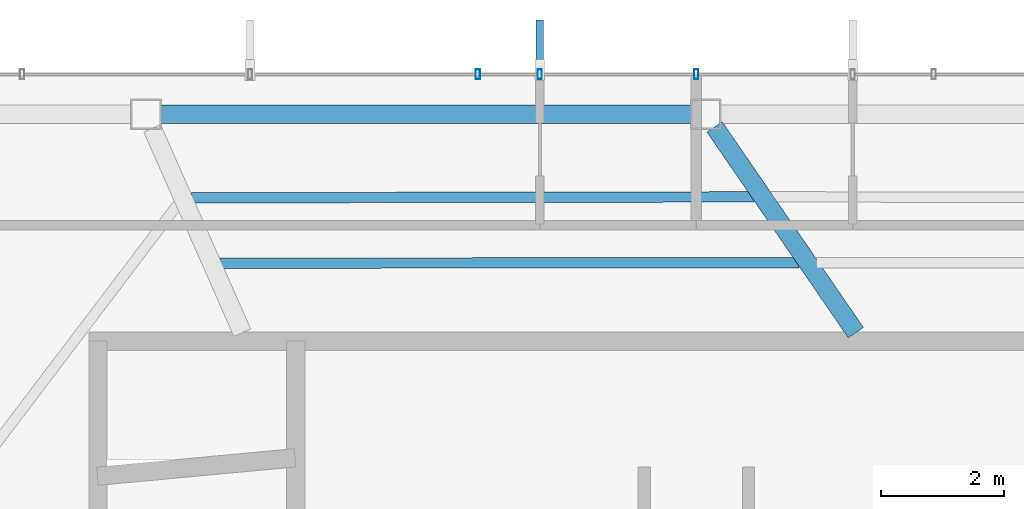
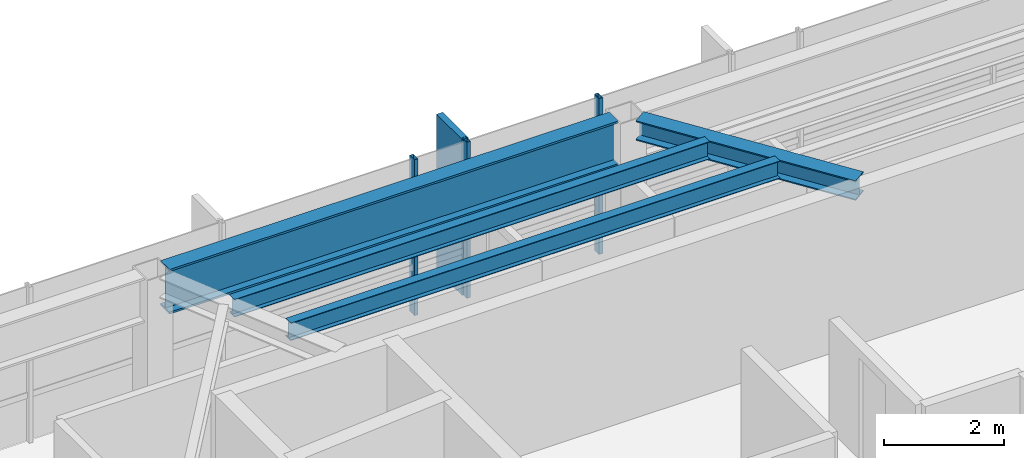
# One storey, part 12 of 24: 4 beams, 4 members, 1 element without a shape of its own.
"""IFC4 building model written with IfcOpenShell, lengths in metres."""

import ifcopenshell
import ifcopenshell.guid

model = None  # the IFC model being written
_history = None  # IfcOwnerHistory: only IFC2X3 demands one
_inside = {}  # id of a spatial element -> (the spatial element, [elements in it])
_under = {}  # id of a project, library or spatial element -> (it, [spatial elements below it])
_declared = {}  # id of a project -> (the project, [libraries it declares])
_typed = {}  # id of a type object -> (the type object, [elements of that type])
_made_of = {}  # id of a material, layer set ... -> (it, [elements and type objects made of it])


def new_model(schema):
    """Start an empty IFC model of exactly this schema.

    Asked for "IFC4X3", IfcOpenShell would pick the latest addendum, in which some entities
    have other attributes; the version numbers below select the first issue.
    IFC2X3 requires an IfcOwnerHistory on every rooted entity: one is made here for all.
    """
    global model, _history
    if schema == "IFC4X3":
        model = ifcopenshell.file(schema_version=(4, 3, 0, 0))
    else:
        model = ifcopenshell.file(schema=schema)
    _inside.clear()
    _under.clear()
    _declared.clear()
    _typed.clear()
    _made_of.clear()
    _history = None
    if model.schema == "IFC2X3":
        org = make("IfcOrganization", Name="unknown")
        user = make(
            "IfcPersonAndOrganization",
            ThePerson=make("IfcPerson", FamilyName="unknown"),
            TheOrganization=org,
        )
        app = make(
            "IfcApplication",
            ApplicationDeveloper=org,
            Version="unknown",
            ApplicationFullName="unknown",
            ApplicationIdentifier="unknown",
        )
        _history = make(
            "IfcOwnerHistory",
            OwningUser=user,
            OwningApplication=app,
            ChangeAction="ADDED",
            CreationDate=0,
        )
    return model


def make(cls, **values):
    """One entity of the class cls with the attributes given. An attribute that is None is left unset."""
    return model.create_entity(
        cls, **{name: value for name, value in values.items() if value is not None}
    )


def rooted(cls, **values):
    """An entity with a GlobalId (a new one), such as an element, a storey or a relation."""
    return make(cls, GlobalId=ifcopenshell.guid.new(), OwnerHistory=_history, **values)


def si_unit(unit_type, name, prefix=None):
    """IfcSIUnit, for example si_unit("LENGTHUNIT", "METRE", prefix="MILLI")."""
    return make("IfcSIUnit", UnitType=unit_type, Prefix=prefix, Name=name)


def assignment(units):
    """IfcUnitAssignment: the units of a project."""
    return None if units is None else make("IfcUnitAssignment", Units=units)


def point(xyz):
    """IfcCartesianPoint."""
    return None if xyz is None else make("IfcCartesianPoint", Coordinates=xyz)


def direction(xyz):
    """IfcDirection."""
    return None if xyz is None else make("IfcDirection", DirectionRatios=xyz)


def frame(location, z_axis=None, x_axis=None):
    """IfcAxis2Placement3D, a coordinate frame: its origin and axes. An axis left out is left unset."""
    return make(
        "IfcAxis2Placement3D",
        Location=point(location),
        Axis=direction(z_axis),
        RefDirection=direction(x_axis),
    )


def frame_2d(location, x_axis=None):
    """IfcAxis2Placement2D, a coordinate frame in the plane: its origin and x axis."""
    return make(
        "IfcAxis2Placement2D", Location=point(location), RefDirection=direction(x_axis)
    )


def origin():
    """The frame at (0, 0, 0) with its axes left unset."""
    return frame((0.0, 0.0, 0.0))


def origin_2d():
    """The frame at (0, 0) in the plane with its x axis left unset."""
    return frame_2d((0.0, 0.0))


def place(relative_to, where):
    """IfcLocalPlacement: puts the frame where relative to a parent placement (None: the world)."""
    return make(
        "IfcLocalPlacement", PlacementRelTo=relative_to, RelativePlacement=where
    )


def context(
    kind, dimensions, precision=None, world=None, true_north=None, identifier=None
):
    """IfcGeometricRepresentationContext, for example the 3D "Model" context."""
    return make(
        "IfcGeometricRepresentationContext",
        ContextIdentifier=identifier,
        ContextType=kind,
        CoordinateSpaceDimension=dimensions,
        Precision=precision,
        WorldCoordinateSystem=world,
        TrueNorth=true_north,
    )


def subcontext(parent, identifier, kind, view, scale=None):
    """IfcGeometricRepresentationSubContext, for example "Body" below "Model"."""
    return make(
        "IfcGeometricRepresentationSubContext",
        ContextIdentifier=identifier,
        ContextType=kind,
        ParentContext=parent,
        TargetScale=scale,
        TargetView=view,
    )


def project(units=None, contexts=None):
    """IfcProject with its units and contexts."""
    return rooted(
        "IfcProject",
        Name="project",
        RepresentationContexts=contexts,
        UnitsInContext=assignment(units),
    )


def spatial(cls, under=None, at=None, **own):
    """A site, building, storey or space (cls), placed at a placement, below another one or the project."""
    s = rooted(cls, ObjectPlacement=at, **own)
    if under is not None:
        _under.setdefault(under.id(), (under, []))[1].append(s)
    return s


def profile(cls, at=None, kind="AREA", **sizes):
    """A parametric profile (cls). Its sizes go by their IFC names, for example OverallWidth=200.0."""
    return make(cls, ProfileType=kind, Position=at, **sizes)


def rectangle(**sizes):
    """IfcRectangleProfileDef."""
    return profile("IfcRectangleProfileDef", **sizes)


def hollow_rectangle(**sizes):
    """IfcRectangleHollowProfileDef."""
    return profile("IfcRectangleHollowProfileDef", **sizes)


def i_section(**sizes):
    """IfcIShapeProfileDef."""
    return profile("IfcIShapeProfileDef", **sizes)


def extrude(swept, where, along, depth):
    """IfcExtrudedAreaSolid: the profile swept, set in the frame where, extruded along a direction by depth."""
    return make(
        "IfcExtrudedAreaSolid",
        SweptArea=swept,
        Position=where,
        ExtrudedDirection=direction(along),
        Depth=depth,
    )


def shape(context_of_items, identifier, shape_type, items):
    """IfcShapeRepresentation: the items that make up one representation, for example the "Body"."""
    return make(
        "IfcShapeRepresentation",
        ContextOfItems=context_of_items,
        RepresentationIdentifier=identifier,
        RepresentationType=shape_type,
        Items=items,
    )


def material(Name=None, Category=None):
    """IfcMaterial."""
    return make("IfcMaterial", Name=Name, Category=Category)


def layer(
    of_material, thickness, ventilated=None, Name=None, Category=None, Priority=None
):
    """IfcMaterialLayer: one layer of a wall or slab, of a material (None: an air gap)."""
    return make(
        "IfcMaterialLayer",
        Material=of_material,
        LayerThickness=thickness,
        IsVentilated=ventilated,
        Name=Name,
        Category=Category,
        Priority=Priority,
    )


def layer_set(layers, Name=None):
    """IfcMaterialLayerSet."""
    return make("IfcMaterialLayerSet", MaterialLayers=layers, LayerSetName=Name)


def material_profile(
    of_material, cross_section, Name=None, Category=None, Priority=None
):
    """IfcMaterialProfile: a cross section and its material."""
    return make(
        "IfcMaterialProfile",
        Name=Name,
        Material=of_material,
        Profile=cross_section,
        Priority=Priority,
        Category=Category,
    )


def profile_set(profiles, Name=None, composite=None):
    """IfcMaterialProfileSet."""
    return make(
        "IfcMaterialProfileSet",
        Name=Name,
        MaterialProfiles=profiles,
        CompositeProfile=composite,
    )


def made_of(thing, what):
    """Note that an element or type object is made of a material, layer set ...; save() writes the relation."""
    if what is not None:
        _made_of.setdefault(what.id(), (what, []))[1].append(thing)
    return thing


def type_object(cls, material=None, **own):
    """A type object (cls), such as IfcWallType, which elements share."""
    return made_of(rooted(cls, **own), material)


def element(
    cls,
    number,
    at=None,
    inside=None,
    cuts=None,
    type_object=None,
    material=None,
    context=None,
    identifier="Body",
    shape_type=None,
    held_by="IfcProductDefinitionShape",
    body=None,
    shapes=None,
    **own,
):
    """One element of the class cls, such as IfcWall. Its Tag is "e" and its number.

    at: its placement. inside: the storey or other place that contains it. cuts: it is an
    opening in that element (IfcRelVoidsElement). A single representation is given by context,
    identifier, shape_type and body (its items); several are given by shapes. held_by: the class
    of the entity that holds the representations. save() writes the other relations.
    """
    e = rooted(cls, Tag="e%d" % number, ObjectPlacement=at, **own)
    if body is not None:
        shapes = [shape(context, identifier, shape_type, body)]
    if shapes is not None:
        e.Representation = make(held_by, Representations=shapes)
    if inside is not None:
        _inside.setdefault(inside.id(), (inside, []))[1].append(e)
    if cuts is not None:
        rooted(
            "IfcRelVoidsElement", RelatingBuildingElement=cuts, RelatedOpeningElement=e
        )
    if type_object is not None:
        _typed.setdefault(type_object.id(), (type_object, []))[1].append(e)
    return made_of(e, material)


def aggregate(whole, parts):
    """IfcRelAggregates: a whole, such as a stair, and the parts it consists of."""
    return rooted("IfcRelAggregates", RelatingObject=whole, RelatedObjects=parts)


def save(model, path):
    """Write the relations noted so far, then the file.

    IfcRelAggregates (storeys below a building ...), IfcRelContainedInSpatialStructure (elements
    in a storey), IfcRelDefinesByType, IfcRelAssociatesMaterial and IfcRelDeclares: one each for
    every whole, place, type object, material and project.
    """
    for whole, parts in _under.values():
        aggregate(whole, parts)
    for where, things in _inside.values():
        rooted(
            "IfcRelContainedInSpatialStructure",
            RelatedElements=things,
            RelatingStructure=where,
        )
    for kind, things in _typed.values():
        rooted("IfcRelDefinesByType", RelatedObjects=things, RelatingType=kind)
    for what, things in _made_of.values():
        rooted("IfcRelAssociatesMaterial", RelatedObjects=things, RelatingMaterial=what)
    for by, libraries in _declared.values():
        rooted("IfcRelDeclares", RelatingContext=by, RelatedDefinitions=libraries)
    model.write(path)


model = new_model("IFC4")

# Units and contexts
model_context = context("Model", 3, precision=1e-05, world=origin(), true_north=direction((0.0, 1.0)))
body_context = subcontext(model_context, "Body", "Model", "MODEL_VIEW")
ifc_project = project(units=[si_unit("LENGTHUNIT", "METRE"), si_unit("AREAUNIT", "SQUARE_METRE"), si_unit("VOLUMEUNIT", "CUBIC_METRE"), si_unit("PLANEANGLEUNIT", "RADIAN"), si_unit("MASSUNIT", "GRAM", prefix="KILO")], contexts=[model_context])

# Site, building, storey
site_placement = place(None, origin())
site = spatial("IfcSite", under=ifc_project, at=site_placement, CompositionType="ELEMENT")
building_placement = place(site_placement, origin())
building = spatial("IfcBuilding", under=site, at=building_placement, Name="Zarrinselat Tower", CompositionType="ELEMENT")
storey_placement = place(building_placement, frame((0.0, 0.0, 268.60009765625)))
storey = spatial("IfcBuildingStorey", under=building, at=storey_placement, Name="L68", CompositionType="ELEMENT", Elevation=268.60009765625)

# Beams
ifc_material_1 = material(Name="Steel S355J2", Category="steel")
ifc_material_profile_1 = material_profile(ifc_material_1, i_section(OverallWidth=0.300048828125, OverallDepth=0.39990234375, WebThickness=0.013427734375, FlangeThickness=0.02392578125, at=origin_2d()), Name="HEB 400")
ifc_profile_set_1 = profile_set([ifc_material_profile_1], Name="Steel S355J2")
beam_type_1 = type_object("IfcBeamType", Name="BM-HEB400", PredefinedType="BEAM", material=ifc_profile_set_1)
beam_1_placement = place(storey_placement, frame((38.697998046875, 46.892333984375, 2.97998046875), z_axis=(0.566077752781, -0.824351853159, 0.0), x_axis=(0.824351853159, 0.566077752781, 0.0)))
element("IfcBeam", 1, at=beam_1_placement, inside=storey, type_object=beam_type_1, Name="L68 Radial Primary Girder RG03", PredefinedType="BEAM", context=body_context, shape_type="SweptSolid", body=[
    extrude(i_section(OverallWidth=0.300048828125, OverallDepth=0.39990234375, WebThickness=0.013427734375, FlangeThickness=0.02392578125, at=origin_2d()), origin(), (0.0, 0.0, 1.0), 4.066650390625),
])
ifc_material_2 = material(Name="Steel S460M", Category="steel")
ifc_material_profile_2 = material_profile(ifc_material_2, i_section(OverallWidth=0.302001953125, OverallDepth=0.909912109375, WebThickness=0.02099609375, FlangeThickness=0.0400390625, at=origin_2d()), Name="HEM 900")
ifc_profile_set_2 = profile_set([ifc_material_profile_2], Name="Steel S460M")
beam_type_2 = type_object("IfcBeamType", Name="BM-HEM900", PredefinedType="BEAM", material=ifc_profile_set_2)
beam_2_placement = place(storey_placement, frame((29.669189453125, 47.10009765625, 2.724853515625), z_axis=(1.0, 0.0, 0.0), x_axis=(0.0, 1.0, 0.0)))
element("IfcBeam", 2, at=beam_2_placement, inside=storey, type_object=beam_type_2, Name="L68 Perimeter Spandrel Girder SP03", PredefinedType="BEAM", context=body_context, shape_type="SweptSolid", body=[
    extrude(i_section(OverallWidth=0.302001953125, OverallDepth=0.909912109375, WebThickness=0.02099609375, FlangeThickness=0.0400390625, at=origin_2d()), origin(), (0.0, 0.0, 1.0), 8.648193359375),
])
ifc_material_3 = material(Name="Steel S355J2", Category="steel")
ifc_material_profile_3 = material_profile(ifc_material_3, i_section(OverallWidth=0.169921875, OverallDepth=0.360107421875, WebThickness=0.008056640625, FlangeThickness=0.0126953125, at=origin_2d()), Name="IPE 360")
ifc_profile_set_3 = profile_set([ifc_material_profile_3], Name="Steel S355J2")
beam_type_3 = type_object("IfcBeamType", Name="BM-IPE360", PredefinedType="JOIST", material=ifc_profile_set_3)
beam_3_placement = place(storey_placement, frame((30.171630859375, 45.737548828125, 3.0), z_axis=(0.999998723885, 0.001597569652, 0.0), x_axis=(-0.001597569652, 0.999998723885, 0.0)))
element("IfcBeam", 3, at=beam_3_placement, inside=storey, type_object=beam_type_3, Name="L68 Composite Floor Joist 8-1", PredefinedType="JOIST", context=body_context, shape_type="SweptSolid", body=[
    extrude(i_section(OverallWidth=0.169921875, OverallDepth=0.360107421875, WebThickness=0.008056640625, FlangeThickness=0.0126953125, at=origin_2d()), origin(), (0.0, 0.0, 1.0), 9.169189453125),
])
beam_4_placement = place(storey_placement, frame((30.64111328125, 44.672119140625, 3.0), z_axis=(0.999999678359, 0.000802048848, 0.0), x_axis=(-0.000802048848, 0.999999678359, 0.0)))
element("IfcBeam", 4, at=beam_4_placement, inside=storey, type_object=beam_type_3, Name="L68 Composite Floor Joist 8-2", PredefinedType="JOIST", context=body_context, shape_type="SweptSolid", body=[
    extrude(i_section(OverallWidth=0.169921875, OverallDepth=0.360107421875, WebThickness=0.008056640625, FlangeThickness=0.0126953125, at=origin_2d()), origin(), (0.0, 0.0, 1.0), 9.436279296875),
])

# Curtain wall, members
ifc_material_4 = material(Name="Extruded Aluminium Alloy EN AW-6063 T6", Category="aluminium")
ifc_layer = layer(ifc_material_4, 0.169921875)
ifc_layer_set = layer_set([ifc_layer], Name="Extruded Aluminium Alloy EN AW-6063 T6")
curtain_wall_type = type_object("IfcCurtainWallType", Name="CWS-RES", PredefinedType="NOTDEFINED", material=ifc_layer_set)
curtain_wall_placement = place(storey_placement, origin())
curtain_wall = element("IfcCurtainWall", 5, at=curtain_wall_placement, inside=storey, type_object=curtain_wall_type, Name="L68 Unitised Curtain Wall CW-L68-E01", PredefinedType="NOTDEFINED")
ifc_material_5 = material(Name="Extruded Aluminium Alloy EN AW-6063 T6", Category="aluminium")
ifc_material_profile_4 = material_profile(ifc_material_5, hollow_rectangle(XDim=0.070068359375, YDim=0.159912109375, WallThickness=0.00390625, at=origin_2d()), Name="RHS 160x70x4")
ifc_profile_set_4 = profile_set([ifc_material_profile_4], Name="Extruded Aluminium Alloy EN AW-6063 T6")
member_type_1 = type_object("IfcMemberType", Name="MEM-CW-MUL2", PredefinedType="MULLION", material=ifc_profile_set_4)
member_1_placement = place(storey_placement, frame((38.39990234375, 47.75, 0.0), z_axis=(0.0, 0.0, 1.0), x_axis=(-1.0, 0.0, 0.0)))
member_1 = element("IfcMember", 6, at=member_1_placement, type_object=member_type_1, Name="CW-L68-E01 Mullion 6", PredefinedType="MULLION", context=body_context, shape_type="SweptSolid", body=[
    extrude(hollow_rectangle(XDim=0.070068359375, YDim=0.159912109375, WallThickness=0.00390625, at=origin_2d()), origin(), (0.0, 0.0, 1.0), 3.179931640625),
])
member_2_placement = place(storey_placement, frame((35.85009765625, 47.75, 0.0), z_axis=(0.0, 0.0, 1.0), x_axis=(-1.0, 0.0, 0.0)))
member_2 = element("IfcMember", 7, at=member_2_placement, type_object=member_type_1, Name="CW-L68-E01 Mullion 7", PredefinedType="MULLION", context=body_context, shape_type="SweptSolid", body=[
    extrude(hollow_rectangle(XDim=0.070068359375, YDim=0.159912109375, WallThickness=0.00390625, at=origin_2d()), origin(), (0.0, 0.0, 1.0), 3.179931640625),
])
member_3_placement = place(storey_placement, frame((34.8408203125, 47.75, 0.0), z_axis=(0.0, 0.0, 1.0), x_axis=(-1.0, 0.0, 0.0)))
member_3 = element("IfcMember", 8, at=member_3_placement, type_object=member_type_1, Name="CW-L68-E01 Mullion 8", PredefinedType="MULLION", context=body_context, shape_type="SweptSolid", body=[
    extrude(hollow_rectangle(XDim=0.070068359375, YDim=0.159912109375, WallThickness=0.00390625, at=origin_2d()), origin(), (0.0, 0.0, 1.0), 3.179931640625),
])
ifc_material_6 = material(Name="Honed Cream Travertine Stone", Category="masonry")
ifc_material_profile_5 = material_profile(ifc_material_6, rectangle(XDim=0.1201171875, YDim=0.85009765625, at=origin_2d()), Name="FIN 850x120")
ifc_profile_set_5 = profile_set([ifc_material_profile_5], Name="Honed Cream Travertine Stone")
member_type_2 = type_object("IfcMemberType", Name="MEM-STONE-FIN", PredefinedType="USERDEFINED", material=ifc_profile_set_5)
member_4_placement = place(storey_placement, frame((35.85009765625, 48.2099609375, 0.0), z_axis=(0.0, 0.0, 1.0), x_axis=(1.0, 0.0, 0.0)))
member_4 = element("IfcMember", 9, at=member_4_placement, type_object=member_type_2, Name="L68 Stone Shading Fin CW-L68-E01-07", ObjectType="FIN", PredefinedType="USERDEFINED", context=body_context, shape_type="SweptSolid", body=[
    extrude(rectangle(XDim=0.1201171875, YDim=0.85009765625, at=origin_2d()), origin(), (0.0, 0.0, 1.0), 3.179931640625),
])
aggregate(curtain_wall, [member_1, member_2, member_4, member_3])

save(model, "model.ifc")
